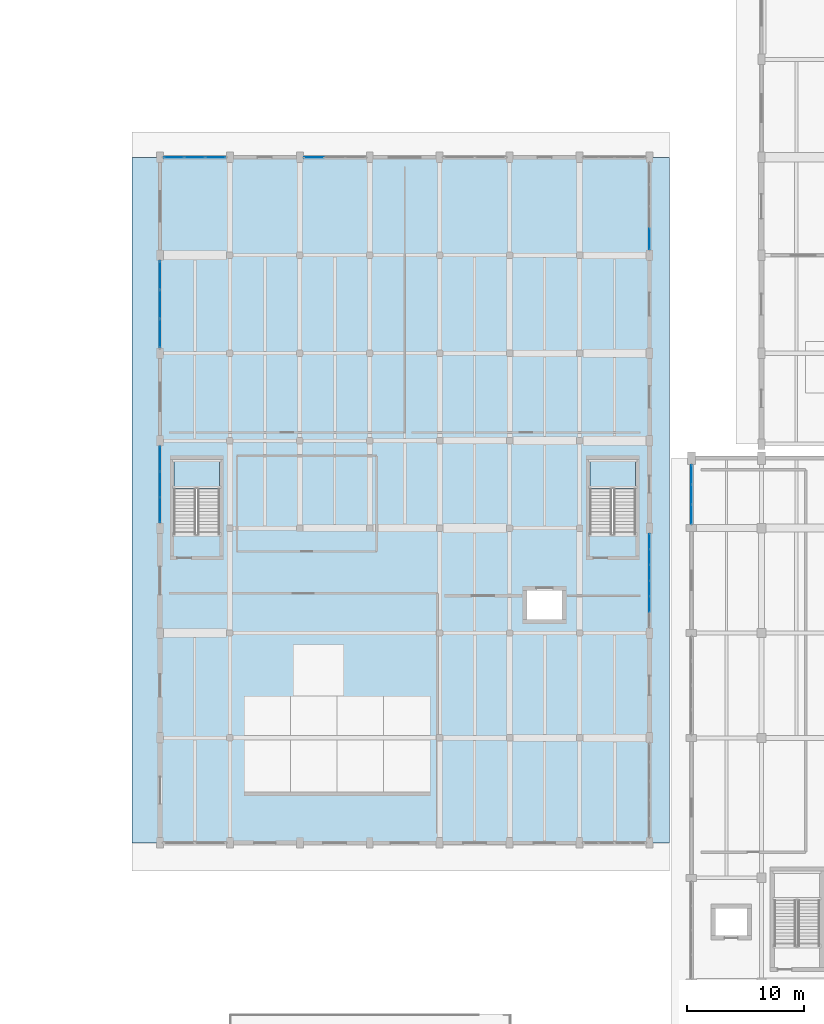
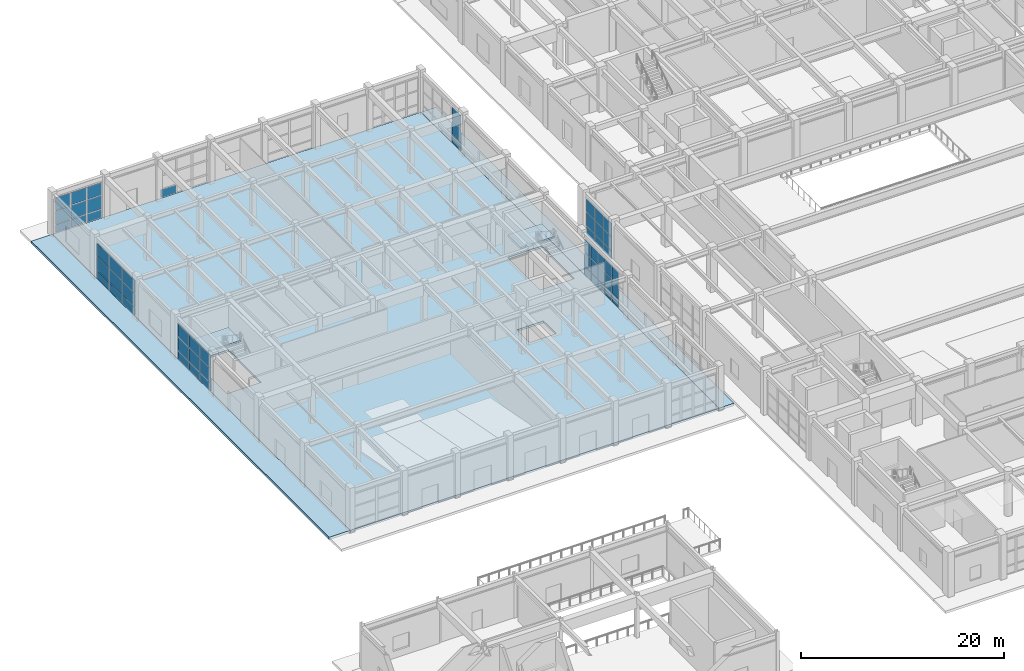
# One storey, part 64 of 91: 55 plates, 5 slabs, 9 elements without a shape of their own.
"""IFC4 building model written with IfcOpenShell, lengths in metres."""

from ifc_helpers import new_model, si_unit, direction, frame, origin, origin_2d, place, context, subcontext, project, spatial, polyline, rectangle, outline, extrude, material, layer, layer_set, type_object, element, aggregate, save


model = new_model("IFC4")

# Units and contexts
model_context = context("Model", 3, precision=1e-05, world=origin(), true_north=direction((0.0, 1.0)))
body_context = subcontext(model_context, "Body", "Model", "MODEL_VIEW")
ifc_project = project(units=[si_unit("LENGTHUNIT", "METRE"), si_unit("AREAUNIT", "SQUARE_METRE"), si_unit("VOLUMEUNIT", "CUBIC_METRE"), si_unit("PLANEANGLEUNIT", "RADIAN"), si_unit("MASSUNIT", "GRAM", prefix="KILO")], contexts=[model_context])

# Site, building, storey
site_placement = place(None, origin())
site = spatial("IfcSite", under=ifc_project, at=site_placement, CompositionType="ELEMENT")
building_placement = place(site_placement, origin())
building = spatial("IfcBuilding", under=site, at=building_placement, Name="Vaelkrest Opera House", CompositionType="ELEMENT")
storey_placement = place(building_placement, origin())
storey = spatial("IfcBuildingStorey", under=building, at=storey_placement, Name="L00", CompositionType="ELEMENT", Elevation=0.0)

# Curtain wall, plates
ifc_material_1 = material(Name="Dark bronze anodized aluminium", Category="aluminium")
ifc_layer_1 = layer(ifc_material_1, 0.179931640625)
ifc_layer_set_1 = layer_set([ifc_layer_1], Name="Dark bronze anodized aluminium")
curtain_wall_type_1 = type_object("IfcCurtainWallType", Name="CW01", PredefinedType="NOTDEFINED", material=ifc_layer_set_1)
curtain_wall_1_placement = place(storey_placement, origin())
curtain_wall_1 = element("IfcCurtainWall", 1, at=curtain_wall_1_placement, inside=storey, type_object=curtain_wall_type_1, Name="Curtain wall CW-L00-097", PredefinedType="NOTDEFINED")
ifc_material_2 = material(Name="Double low-E insulated glazing", Category="glass")
ifc_layer_2 = layer(ifc_material_2, 0.02587890625)
ifc_layer_set_2 = layer_set([ifc_layer_2], Name="Double low-E insulated glazing")
plate_type_1 = type_object("IfcPlateType", Name="CWP01", PredefinedType="CURTAIN_PANEL", material=ifc_layer_set_2)
plate_1_placement = place(storey_placement, frame((-33.60009765625, 9.060302734375, 0.06494140625), z_axis=(0.0, 0.0, 1.0), x_axis=(0.0, -1.0, 0.0)))
plate_1 = element("IfcPlate", 2, at=plate_1_placement, type_object=plate_type_1, Name="CW01 panel 1.1", PredefinedType="CURTAIN_PANEL", context=body_context, shape_type="SweptSolid", body=[
    extrude(rectangle(XDim=1.253173828125, YDim=0.02587890625, at=origin_2d()), origin(), (0.0, 0.0, 1.0), 0.952392578125),
])
plate_2_placement = place(storey_placement, frame((-33.60009765625, 9.060302734375, 1.08251953125), z_axis=(0.0, 0.0, 1.0), x_axis=(0.0, -1.0, 0.0)))
plate_2 = element("IfcPlate", 3, at=plate_2_placement, type_object=plate_type_1, Name="CW01 panel 1.2", PredefinedType="CURTAIN_PANEL", context=body_context, shape_type="SweptSolid", body=[
    extrude(rectangle(XDim=1.253173828125, YDim=0.02587890625, at=origin_2d()), origin(), (0.0, 0.0, 1.0), 1.635009765625),
])
plate_3_placement = place(storey_placement, frame((-33.60009765625, 9.060302734375, 2.78271484375), z_axis=(0.0, 0.0, 1.0), x_axis=(0.0, -1.0, 0.0)))
plate_3 = element("IfcPlate", 4, at=plate_3_placement, type_object=plate_type_1, Name="CW01 panel 1.3", PredefinedType="CURTAIN_PANEL", context=body_context, shape_type="SweptSolid", body=[
    extrude(rectangle(XDim=1.253173828125, YDim=0.02587890625, at=origin_2d()), origin(), (0.0, 0.0, 1.0), 1.556396484375),
])
plate_4_placement = place(storey_placement, frame((-33.60009765625, 7.72607421875, 0.06494140625), z_axis=(0.0, 0.0, 1.0), x_axis=(0.0, -1.0, 0.0)))
plate_4 = element("IfcPlate", 5, at=plate_4_placement, type_object=plate_type_1, Name="CW01 panel 2.1", PredefinedType="CURTAIN_PANEL", context=body_context, shape_type="SweptSolid", body=[
    extrude(rectangle(XDim=1.28564453125, YDim=0.02587890625, at=origin_2d()), origin(), (0.0, 0.0, 1.0), 0.952392578125),
])
plate_5_placement = place(storey_placement, frame((-33.60009765625, 7.72607421875, 1.08251953125), z_axis=(0.0, 0.0, 1.0), x_axis=(0.0, -1.0, 0.0)))
plate_5 = element("IfcPlate", 6, at=plate_5_placement, type_object=plate_type_1, Name="CW01 panel 2.2", PredefinedType="CURTAIN_PANEL", context=body_context, shape_type="SweptSolid", body=[
    extrude(rectangle(XDim=1.28564453125, YDim=0.02587890625, at=origin_2d()), origin(), (0.0, 0.0, 1.0), 1.635009765625),
])
plate_6_placement = place(storey_placement, frame((-33.60009765625, 7.72607421875, 2.78271484375), z_axis=(0.0, 0.0, 1.0), x_axis=(0.0, -1.0, 0.0)))
plate_6 = element("IfcPlate", 7, at=plate_6_placement, type_object=plate_type_1, Name="CW01 panel 2.3", PredefinedType="CURTAIN_PANEL", context=body_context, shape_type="SweptSolid", body=[
    extrude(rectangle(XDim=1.28564453125, YDim=0.02587890625, at=origin_2d()), origin(), (0.0, 0.0, 1.0), 1.556396484375),
])
plate_7_placement = place(storey_placement, frame((-33.60009765625, 6.375244140625, 0.06494140625), z_axis=(0.0, 0.0, 1.0), x_axis=(0.0, -1.0, 0.0)))
plate_7 = element("IfcPlate", 8, at=plate_7_placement, type_object=plate_type_1, Name="CW01 panel 3.1", PredefinedType="CURTAIN_PANEL", context=body_context, shape_type="SweptSolid", body=[
    extrude(rectangle(XDim=1.28564453125, YDim=0.02587890625, at=origin_2d()), origin(), (0.0, 0.0, 1.0), 0.952392578125),
])
plate_8_placement = place(storey_placement, frame((-33.60009765625, 6.375244140625, 1.08251953125), z_axis=(0.0, 0.0, 1.0), x_axis=(0.0, -1.0, 0.0)))
plate_8 = element("IfcPlate", 9, at=plate_8_placement, type_object=plate_type_1, Name="CW01 panel 3.2", PredefinedType="CURTAIN_PANEL", context=body_context, shape_type="SweptSolid", body=[
    extrude(rectangle(XDim=1.28564453125, YDim=0.02587890625, at=origin_2d()), origin(), (0.0, 0.0, 1.0), 1.635009765625),
])
plate_9_placement = place(storey_placement, frame((-33.60009765625, 6.375244140625, 2.78271484375), z_axis=(0.0, 0.0, 1.0), x_axis=(0.0, -1.0, 0.0)))
plate_9 = element("IfcPlate", 10, at=plate_9_placement, type_object=plate_type_1, Name="CW01 panel 3.3", PredefinedType="CURTAIN_PANEL", context=body_context, shape_type="SweptSolid", body=[
    extrude(rectangle(XDim=1.28564453125, YDim=0.02587890625, at=origin_2d()), origin(), (0.0, 0.0, 1.0), 1.556396484375),
])
plate_10_placement = place(storey_placement, frame((-33.60009765625, 5.024658203125, 0.06494140625), z_axis=(0.0, 0.0, 1.0), x_axis=(0.0, -1.0, 0.0)))
plate_10 = element("IfcPlate", 11, at=plate_10_placement, type_object=plate_type_1, Name="CW01 panel 4.1", PredefinedType="CURTAIN_PANEL", context=body_context, shape_type="SweptSolid", body=[
    extrude(rectangle(XDim=1.28564453125, YDim=0.02587890625, at=origin_2d()), origin(), (0.0, 0.0, 1.0), 0.952392578125),
])
plate_11_placement = place(storey_placement, frame((-33.60009765625, 5.024658203125, 1.08251953125), z_axis=(0.0, 0.0, 1.0), x_axis=(0.0, -1.0, 0.0)))
plate_11 = element("IfcPlate", 12, at=plate_11_placement, type_object=plate_type_1, Name="CW01 panel 4.2", PredefinedType="CURTAIN_PANEL", context=body_context, shape_type="SweptSolid", body=[
    extrude(rectangle(XDim=1.28564453125, YDim=0.02587890625, at=origin_2d()), origin(), (0.0, 0.0, 1.0), 1.635009765625),
])
plate_12_placement = place(storey_placement, frame((-33.60009765625, 5.024658203125, 2.78271484375), z_axis=(0.0, 0.0, 1.0), x_axis=(0.0, -1.0, 0.0)))
plate_12 = element("IfcPlate", 13, at=plate_12_placement, type_object=plate_type_1, Name="CW01 panel 4.3", PredefinedType="CURTAIN_PANEL", context=body_context, shape_type="SweptSolid", body=[
    extrude(rectangle(XDim=1.28564453125, YDim=0.02587890625, at=origin_2d()), origin(), (0.0, 0.0, 1.0), 1.556396484375),
])
plate_13_placement = place(storey_placement, frame((-33.60009765625, 3.674072265625, 0.06494140625), z_axis=(0.0, 0.0, 1.0), x_axis=(0.0, -1.0, 0.0)))
plate_13 = element("IfcPlate", 14, at=plate_13_placement, type_object=plate_type_1, Name="CW01 panel 5.1", PredefinedType="CURTAIN_PANEL", context=body_context, shape_type="SweptSolid", body=[
    extrude(rectangle(XDim=1.28564453125, YDim=0.02587890625, at=origin_2d()), origin(), (0.0, 0.0, 1.0), 0.952392578125),
])
plate_14_placement = place(storey_placement, frame((-33.60009765625, 3.674072265625, 1.08251953125), z_axis=(0.0, 0.0, 1.0), x_axis=(0.0, -1.0, 0.0)))
plate_14 = element("IfcPlate", 15, at=plate_14_placement, type_object=plate_type_1, Name="CW01 panel 5.2", PredefinedType="CURTAIN_PANEL", context=body_context, shape_type="SweptSolid", body=[
    extrude(rectangle(XDim=1.28564453125, YDim=0.02587890625, at=origin_2d()), origin(), (0.0, 0.0, 1.0), 1.635009765625),
])
plate_15_placement = place(storey_placement, frame((-33.60009765625, 3.674072265625, 2.78271484375), z_axis=(0.0, 0.0, 1.0), x_axis=(0.0, -1.0, 0.0)))
plate_15 = element("IfcPlate", 16, at=plate_15_placement, type_object=plate_type_1, Name="CW01 panel 5.3", PredefinedType="CURTAIN_PANEL", context=body_context, shape_type="SweptSolid", body=[
    extrude(rectangle(XDim=1.28564453125, YDim=0.02587890625, at=origin_2d()), origin(), (0.0, 0.0, 1.0), 1.556396484375),
])
aggregate(curtain_wall_1, [plate_1, plate_2, plate_3, plate_4, plate_5, plate_6, plate_7, plate_8, plate_9, plate_10, plate_11, plate_12, plate_13, plate_14, plate_15])

ifc_layer_3 = layer(ifc_material_1, 0.18994140625)
ifc_layer_set_3 = layer_set([ifc_layer_3], Name="Dark bronze anodized aluminium")
curtain_wall_type_2 = type_object("IfcCurtainWallType", Name="CW02", PredefinedType="NOTDEFINED", material=ifc_layer_set_3)
curtain_wall_2_placement = place(storey_placement, origin())
curtain_wall_2 = element("IfcCurtainWall", 17, at=curtain_wall_2_placement, inside=storey, type_object=curtain_wall_type_2, Name="Curtain wall CW-L00-016", PredefinedType="NOTDEFINED")
ifc_layer_4 = layer(ifc_material_2, 0.030029296875)
ifc_layer_set_4 = layer_set([ifc_layer_4], Name="Double low-E insulated glazing")
plate_type_2 = type_object("IfcPlateType", Name="CWP02", PredefinedType="CURTAIN_PANEL", material=ifc_layer_set_4)
plate_16_placement = place(storey_placement, frame((-30.0, 11.37451171875, 0.06982421875), z_axis=(0.0, 0.0, 1.0), x_axis=(0.0, 1.0, 0.0)))
plate_16 = element("IfcPlate", 18, at=plate_16_placement, type_object=plate_type_2, Name="CW02 panel 1.1", PredefinedType="CURTAIN_PANEL", context=body_context, shape_type="SweptSolid", body=[
    extrude(rectangle(XDim=1.613037109375, YDim=0.030029296875, at=origin_2d()), origin(), (0.0, 0.0, 1.0), 0.945068359375),
])
plate_17_placement = place(storey_placement, frame((-30.0, 11.37451171875, 1.0849609375), z_axis=(0.0, 0.0, 1.0), x_axis=(0.0, 1.0, 0.0)))
plate_17 = element("IfcPlate", 19, at=plate_17_placement, type_object=plate_type_2, Name="CW02 panel 1.2", PredefinedType="CURTAIN_PANEL", context=body_context, shape_type="SweptSolid", body=[
    extrude(rectangle(XDim=1.613037109375, YDim=0.030029296875, at=origin_2d()), origin(), (0.0, 0.0, 1.0), 1.6298828125),
])
plate_18_placement = place(storey_placement, frame((-30.0, 11.37451171875, 2.78515625), z_axis=(0.0, 0.0, 1.0), x_axis=(0.0, 1.0, 0.0)))
plate_18 = element("IfcPlate", 20, at=plate_18_placement, type_object=plate_type_2, Name="CW02 panel 1.3", PredefinedType="CURTAIN_PANEL", context=body_context, shape_type="SweptSolid", body=[
    extrude(rectangle(XDim=1.613037109375, YDim=0.030029296875, at=origin_2d()), origin(), (0.0, 0.0, 1.0), 1.549072265625),
])
plate_19_placement = place(storey_placement, frame((-30.0, 13.074951171875, 0.06982421875), z_axis=(0.0, 0.0, 1.0), x_axis=(0.0, 1.0, 0.0)))
plate_19 = element("IfcPlate", 21, at=plate_19_placement, type_object=plate_type_2, Name="CW02 panel 2.1", PredefinedType="CURTAIN_PANEL", context=body_context, shape_type="SweptSolid", body=[
    extrude(rectangle(XDim=1.64794921875, YDim=0.030029296875, at=origin_2d()), origin(), (0.0, 0.0, 1.0), 0.945068359375),
])
plate_20_placement = place(storey_placement, frame((-30.0, 13.074951171875, 1.0849609375), z_axis=(0.0, 0.0, 1.0), x_axis=(0.0, 1.0, 0.0)))
plate_20 = element("IfcPlate", 22, at=plate_20_placement, type_object=plate_type_2, Name="CW02 panel 2.2", PredefinedType="CURTAIN_PANEL", context=body_context, shape_type="SweptSolid", body=[
    extrude(rectangle(XDim=1.64794921875, YDim=0.030029296875, at=origin_2d()), origin(), (0.0, 0.0, 1.0), 1.6298828125),
])
plate_21_placement = place(storey_placement, frame((-30.0, 13.074951171875, 2.78515625), z_axis=(0.0, 0.0, 1.0), x_axis=(0.0, 1.0, 0.0)))
plate_21 = element("IfcPlate", 23, at=plate_21_placement, type_object=plate_type_2, Name="CW02 panel 2.3", PredefinedType="CURTAIN_PANEL", context=body_context, shape_type="SweptSolid", body=[
    extrude(rectangle(XDim=1.64794921875, YDim=0.030029296875, at=origin_2d()), origin(), (0.0, 0.0, 1.0), 1.549072265625),
])
plate_22_placement = place(storey_placement, frame((-30.0, 14.775390625, 0.06982421875), z_axis=(0.0, 0.0, 1.0), x_axis=(0.0, 1.0, 0.0)))
plate_22 = element("IfcPlate", 24, at=plate_22_placement, type_object=plate_type_2, Name="CW02 panel 3.1", PredefinedType="CURTAIN_PANEL", context=body_context, shape_type="SweptSolid", body=[
    extrude(rectangle(XDim=1.613037109375, YDim=0.030029296875, at=origin_2d()), origin(), (0.0, 0.0, 1.0), 0.945068359375),
])
plate_23_placement = place(storey_placement, frame((-30.0, 14.775390625, 1.0849609375), z_axis=(0.0, 0.0, 1.0), x_axis=(0.0, 1.0, 0.0)))
plate_23 = element("IfcPlate", 25, at=plate_23_placement, type_object=plate_type_2, Name="CW02 panel 3.2", PredefinedType="CURTAIN_PANEL", context=body_context, shape_type="SweptSolid", body=[
    extrude(rectangle(XDim=1.613037109375, YDim=0.030029296875, at=origin_2d()), origin(), (0.0, 0.0, 1.0), 1.6298828125),
])
plate_24_placement = place(storey_placement, frame((-30.0, 14.775390625, 2.78515625), z_axis=(0.0, 0.0, 1.0), x_axis=(0.0, 1.0, 0.0)))
plate_24 = element("IfcPlate", 26, at=plate_24_placement, type_object=plate_type_2, Name="CW02 panel 3.3", PredefinedType="CURTAIN_PANEL", context=body_context, shape_type="SweptSolid", body=[
    extrude(rectangle(XDim=1.613037109375, YDim=0.030029296875, at=origin_2d()), origin(), (0.0, 0.0, 1.0), 1.549072265625),
])
aggregate(curtain_wall_2, [plate_16, plate_17, plate_18, plate_19, plate_20, plate_21, plate_22, plate_23, plate_24])

ifc_layer_5 = layer(ifc_material_1, 0.2099609375)
ifc_layer_set_5 = layer_set([ifc_layer_5], Name="Dark bronze anodized aluminium")
curtain_wall_type_3 = type_object("IfcCurtainWallType", Name="CW04", PredefinedType="NOTDEFINED", material=ifc_layer_set_5)
curtain_wall_3_placement = place(storey_placement, origin())
curtain_wall_3 = element("IfcCurtainWall", 27, at=curtain_wall_3_placement, inside=storey, type_object=curtain_wall_type_3, Name="Curtain wall CW-L00-092", PredefinedType="NOTDEFINED")
ifc_layer_6 = layer(ifc_material_2, 0.0380859375)
ifc_layer_set_6 = layer_set([ifc_layer_6], Name="Double low-E insulated glazing")
plate_type_3 = type_object("IfcPlateType", Name="CWP04", PredefinedType="CURTAIN_PANEL", material=ifc_layer_set_6)
plate_25_placement = place(storey_placement, frame((-74.38134765625, 42.0, 0.080078125), z_axis=(0.0, 0.0, 1.0), x_axis=(1.0, 0.0, 0.0)))
plate_25 = element("IfcPlate", 28, at=plate_25_placement, type_object=plate_type_3, Name="CW04 panel 1.1", PredefinedType="CURTAIN_PANEL", context=body_context, shape_type="SweptSolid", body=[
    extrude(rectangle(XDim=1.681396484375, YDim=0.0380859375, at=origin_2d()), origin(), (0.0, 0.0, 1.0), 0.929931640625),
])
plate_26_placement = place(storey_placement, frame((-74.38134765625, 42.0, 1.08984375), z_axis=(0.0, 0.0, 1.0), x_axis=(1.0, 0.0, 0.0)))
plate_26 = element("IfcPlate", 29, at=plate_26_placement, type_object=plate_type_3, Name="CW04 panel 1.2", PredefinedType="CURTAIN_PANEL", context=body_context, shape_type="SweptSolid", body=[
    extrude(rectangle(XDim=1.681396484375, YDim=0.0380859375, at=origin_2d()), origin(), (0.0, 0.0, 1.0), 1.6201171875),
])
plate_27_placement = place(storey_placement, frame((-74.38134765625, 42.0, 2.7900390625), z_axis=(0.0, 0.0, 1.0), x_axis=(1.0, 0.0, 0.0)))
plate_27 = element("IfcPlate", 30, at=plate_27_placement, type_object=plate_type_3, Name="CW04 panel 1.3", PredefinedType="CURTAIN_PANEL", context=body_context, shape_type="SweptSolid", body=[
    extrude(rectangle(XDim=1.681396484375, YDim=0.0380859375, at=origin_2d()), origin(), (0.0, 0.0, 1.0), 1.47509765625),
])
plate_28_placement = place(storey_placement, frame((-72.60009765625, 42.0, 0.080078125), z_axis=(0.0, 0.0, 1.0), x_axis=(1.0, 0.0, 0.0)))
plate_28 = element("IfcPlate", 31, at=plate_28_placement, type_object=plate_type_3, Name="CW04 panel 2.1", PredefinedType="CURTAIN_PANEL", context=body_context, shape_type="SweptSolid", body=[
    extrude(rectangle(XDim=1.721435546875, YDim=0.0380859375, at=origin_2d()), origin(), (0.0, 0.0, 1.0), 0.929931640625),
])
plate_29_placement = place(storey_placement, frame((-72.60009765625, 42.0, 1.08984375), z_axis=(0.0, 0.0, 1.0), x_axis=(1.0, 0.0, 0.0)))
plate_29 = element("IfcPlate", 32, at=plate_29_placement, type_object=plate_type_3, Name="CW04 panel 2.2", PredefinedType="CURTAIN_PANEL", context=body_context, shape_type="SweptSolid", body=[
    extrude(rectangle(XDim=1.721435546875, YDim=0.0380859375, at=origin_2d()), origin(), (0.0, 0.0, 1.0), 1.6201171875),
])
plate_30_placement = place(storey_placement, frame((-72.60009765625, 42.0, 2.7900390625), z_axis=(0.0, 0.0, 1.0), x_axis=(1.0, 0.0, 0.0)))
plate_30 = element("IfcPlate", 33, at=plate_30_placement, type_object=plate_type_3, Name="CW04 panel 2.3", PredefinedType="CURTAIN_PANEL", context=body_context, shape_type="SweptSolid", body=[
    extrude(rectangle(XDim=1.721435546875, YDim=0.0380859375, at=origin_2d()), origin(), (0.0, 0.0, 1.0), 1.47509765625),
])
plate_31_placement = place(storey_placement, frame((-70.818603515625, 42.0, 0.080078125), z_axis=(0.0, 0.0, 1.0), x_axis=(1.0, 0.0, 0.0)))
plate_31 = element("IfcPlate", 34, at=plate_31_placement, type_object=plate_type_3, Name="CW04 panel 3.1", PredefinedType="CURTAIN_PANEL", context=body_context, shape_type="SweptSolid", body=[
    extrude(rectangle(XDim=1.681396484375, YDim=0.0380859375, at=origin_2d()), origin(), (0.0, 0.0, 1.0), 0.929931640625),
])
plate_32_placement = place(storey_placement, frame((-70.818603515625, 42.0, 1.08984375), z_axis=(0.0, 0.0, 1.0), x_axis=(1.0, 0.0, 0.0)))
plate_32 = element("IfcPlate", 35, at=plate_32_placement, type_object=plate_type_3, Name="CW04 panel 3.2", PredefinedType="CURTAIN_PANEL", context=body_context, shape_type="SweptSolid", body=[
    extrude(rectangle(XDim=1.681396484375, YDim=0.0380859375, at=origin_2d()), origin(), (0.0, 0.0, 1.0), 1.6201171875),
])
plate_33_placement = place(storey_placement, frame((-70.818603515625, 42.0, 2.7900390625), z_axis=(0.0, 0.0, 1.0), x_axis=(1.0, 0.0, 0.0)))
plate_33 = element("IfcPlate", 36, at=plate_33_placement, type_object=plate_type_3, Name="CW04 panel 3.3", PredefinedType="CURTAIN_PANEL", context=body_context, shape_type="SweptSolid", body=[
    extrude(rectangle(XDim=1.681396484375, YDim=0.0380859375, at=origin_2d()), origin(), (0.0, 0.0, 1.0), 1.47509765625),
])
aggregate(curtain_wall_3, [plate_25, plate_26, plate_27, plate_28, plate_29, plate_30, plate_31, plate_32, plate_33])

ifc_layer_7 = layer(ifc_material_1, 0.219970703125)
ifc_layer_set_7 = layer_set([ifc_layer_7], Name="Dark bronze anodized aluminium")
curtain_wall_type_4 = type_object("IfcCurtainWallType", Name="CW05", PredefinedType="NOTDEFINED", material=ifc_layer_set_7)
curtain_wall_4_placement = place(storey_placement, origin())
curtain_wall_4 = element("IfcCurtainWall", 37, at=curtain_wall_4_placement, inside=storey, type_object=curtain_wall_type_4, Name="Curtain wall CW-L00-096", PredefinedType="NOTDEFINED")
ifc_layer_8 = layer(ifc_material_2, 0.0419921875)
ifc_layer_set_8 = layer_set([ifc_layer_8], Name="Double low-E insulated glazing")
plate_type_4 = type_object("IfcPlateType", Name="CWP05", PredefinedType="CURTAIN_PANEL", material=ifc_layer_set_8)
plate_34_placement = place(storey_placement, frame((-33.60009765625, 35.002197265625, 0.074951171875), z_axis=(0.0, 0.0, 1.0), x_axis=(0.0, -1.0, 0.0)))
plate_34 = element("IfcPlate", 38, at=plate_34_placement, type_object=plate_type_4, Name="CW05 panel 4.1", PredefinedType="CURTAIN_PANEL", context=body_context, shape_type="SweptSolid", body=[
    extrude(rectangle(XDim=1.778564453125, YDim=0.0419921875, at=origin_2d()), origin(), (0.0, 0.0, 1.0), 0.9375),
])
plate_35_placement = place(storey_placement, frame((-33.60009765625, 35.002197265625, 1.08740234375), z_axis=(0.0, 0.0, 1.0), x_axis=(0.0, -1.0, 0.0)))
plate_35 = element("IfcPlate", 39, at=plate_35_placement, type_object=plate_type_4, Name="CW05 panel 4.2", PredefinedType="CURTAIN_PANEL", context=body_context, shape_type="SweptSolid", body=[
    extrude(rectangle(XDim=1.778564453125, YDim=0.0419921875, at=origin_2d()), origin(), (0.0, 0.0, 1.0), 1.625),
])
plate_36_placement = place(storey_placement, frame((-33.60009765625, 35.002197265625, 2.78759765625), z_axis=(0.0, 0.0, 1.0), x_axis=(0.0, -1.0, 0.0)))
plate_36 = element("IfcPlate", 40, at=plate_36_placement, type_object=plate_type_4, Name="CW05 panel 4.3", PredefinedType="CURTAIN_PANEL", context=body_context, shape_type="SweptSolid", body=[
    extrude(rectangle(XDim=1.778564453125, YDim=0.0419921875, at=origin_2d()), origin(), (0.0, 0.0, 1.0), 1.56640625),
])
aggregate(curtain_wall_4, [plate_34, plate_35, plate_36])

ifc_layer_9 = layer(ifc_material_1, 0.22998046875)
ifc_layer_set_9 = layer_set([ifc_layer_9], Name="Dark bronze anodized aluminium")
curtain_wall_type_5 = type_object("IfcCurtainWallType", Name="CW06", PredefinedType="NOTDEFINED", material=ifc_layer_set_9)
curtain_wall_5_placement = place(storey_placement, origin())
curtain_wall_5 = element("IfcCurtainWall", 41, at=curtain_wall_5_placement, inside=storey, type_object=curtain_wall_type_5, Name="Curtain wall CW-L00-090", PredefinedType="NOTDEFINED")
ifc_material_3 = material(Name="Dark bronze anodized aluminium spandrel", Category="aluminium")
ifc_layer_10 = layer(ifc_material_3, 0.0458984375)
ifc_layer_set_10 = layer_set([ifc_layer_10], Name="Dark bronze anodized aluminium spandrel")
plate_type_5 = type_object("IfcPlateType", Name="CWP06", PredefinedType="CURTAIN_PANEL", material=ifc_layer_set_10)
plate_37_placement = place(storey_placement, frame((-75.60009765625, 11.76611328125, 0.080078125), z_axis=(0.0, 0.0, 1.0), x_axis=(0.0, 1.0, 0.0)))
plate_37 = element("IfcPlate", 42, at=plate_37_placement, type_object=plate_type_5, Name="CW06 panel 1.1", PredefinedType="CURTAIN_PANEL", context=body_context, shape_type="SweptSolid", body=[
    extrude(rectangle(XDim=2.096435546875, YDim=0.0458984375, at=origin_2d()), origin(), (0.0, 0.0, 1.0), 0.929931640625),
])
plate_38_placement = place(storey_placement, frame((-75.60009765625, 11.76611328125, 1.08984375), z_axis=(0.0, 0.0, 1.0), x_axis=(0.0, 1.0, 0.0)))
plate_38 = element("IfcPlate", 43, at=plate_38_placement, type_object=plate_type_5, Name="CW06 panel 1.2", PredefinedType="CURTAIN_PANEL", context=body_context, shape_type="SweptSolid", body=[
    extrude(rectangle(XDim=2.096435546875, YDim=0.0458984375, at=origin_2d()), origin(), (0.0, 0.0, 1.0), 1.6201171875),
])
plate_39_placement = place(storey_placement, frame((-75.60009765625, 11.76611328125, 2.7900390625), z_axis=(0.0, 0.0, 1.0), x_axis=(0.0, 1.0, 0.0)))
plate_39 = element("IfcPlate", 44, at=plate_39_placement, type_object=plate_type_5, Name="CW06 panel 1.3", PredefinedType="CURTAIN_PANEL", context=body_context, shape_type="SweptSolid", body=[
    extrude(rectangle(XDim=2.096435546875, YDim=0.0458984375, at=origin_2d()), origin(), (0.0, 0.0, 1.0), 1.533935546875),
])
plate_40_placement = place(storey_placement, frame((-75.60009765625, 13.949951171875, 0.080078125), z_axis=(0.0, 0.0, 1.0), x_axis=(0.0, 1.0, 0.0)))
plate_40 = element("IfcPlate", 45, at=plate_40_placement, type_object=plate_type_5, Name="CW06 panel 2.1", PredefinedType="CURTAIN_PANEL", context=body_context, shape_type="SweptSolid", body=[
    extrude(rectangle(XDim=2.13134765625, YDim=0.0458984375, at=origin_2d()), origin(), (0.0, 0.0, 1.0), 0.929931640625),
])
plate_41_placement = place(storey_placement, frame((-75.60009765625, 13.949951171875, 1.08984375), z_axis=(0.0, 0.0, 1.0), x_axis=(0.0, 1.0, 0.0)))
plate_41 = element("IfcPlate", 46, at=plate_41_placement, type_object=plate_type_5, Name="CW06 panel 2.2", PredefinedType="CURTAIN_PANEL", context=body_context, shape_type="SweptSolid", body=[
    extrude(rectangle(XDim=2.13134765625, YDim=0.0458984375, at=origin_2d()), origin(), (0.0, 0.0, 1.0), 1.6201171875),
])
plate_42_placement = place(storey_placement, frame((-75.60009765625, 13.949951171875, 2.7900390625), z_axis=(0.0, 0.0, 1.0), x_axis=(0.0, 1.0, 0.0)))
plate_42 = element("IfcPlate", 47, at=plate_42_placement, type_object=plate_type_5, Name="CW06 panel 2.3", PredefinedType="CURTAIN_PANEL", context=body_context, shape_type="SweptSolid", body=[
    extrude(rectangle(XDim=2.13134765625, YDim=0.0458984375, at=origin_2d()), origin(), (0.0, 0.0, 1.0), 1.533935546875),
])
plate_43_placement = place(storey_placement, frame((-75.60009765625, 16.1337890625, 0.080078125), z_axis=(0.0, 0.0, 1.0), x_axis=(0.0, 1.0, 0.0)))
plate_43 = element("IfcPlate", 48, at=plate_43_placement, type_object=plate_type_5, Name="CW06 panel 3.1", PredefinedType="CURTAIN_PANEL", context=body_context, shape_type="SweptSolid", body=[
    extrude(rectangle(XDim=2.096435546875, YDim=0.0458984375, at=origin_2d()), origin(), (0.0, 0.0, 1.0), 0.929931640625),
])
plate_44_placement = place(storey_placement, frame((-75.60009765625, 16.1337890625, 1.08984375), z_axis=(0.0, 0.0, 1.0), x_axis=(0.0, 1.0, 0.0)))
plate_44 = element("IfcPlate", 49, at=plate_44_placement, type_object=plate_type_5, Name="CW06 panel 3.2", PredefinedType="CURTAIN_PANEL", context=body_context, shape_type="SweptSolid", body=[
    extrude(rectangle(XDim=2.096435546875, YDim=0.0458984375, at=origin_2d()), origin(), (0.0, 0.0, 1.0), 1.6201171875),
])
plate_45_placement = place(storey_placement, frame((-75.60009765625, 16.1337890625, 2.7900390625), z_axis=(0.0, 0.0, 1.0), x_axis=(0.0, 1.0, 0.0)))
plate_45 = element("IfcPlate", 50, at=plate_45_placement, type_object=plate_type_5, Name="CW06 panel 3.3", PredefinedType="CURTAIN_PANEL", context=body_context, shape_type="SweptSolid", body=[
    extrude(rectangle(XDim=2.096435546875, YDim=0.0458984375, at=origin_2d()), origin(), (0.0, 0.0, 1.0), 1.533935546875),
])
aggregate(curtain_wall_5, [plate_37, plate_38, plate_39, plate_40, plate_41, plate_42, plate_43, plate_44, plate_45])

# Curtain wall, plate
curtain_wall_6_placement = place(storey_placement, origin())
curtain_wall_6 = element("IfcCurtainWall", 51, at=curtain_wall_6_placement, inside=storey, type_object=curtain_wall_type_5, Name="Curtain wall CW-L00-093", PredefinedType="NOTDEFINED")
plate_46_placement = place(storey_placement, frame((-62.3837890625, 42.0, 0.080078125), z_axis=(0.0, 0.0, 1.0), x_axis=(1.0, 0.0, 0.0)))
plate_46 = element("IfcPlate", 52, at=plate_46_placement, type_object=plate_type_5, Name="CW06 panel 1.1", PredefinedType="CURTAIN_PANEL", context=body_context, shape_type="SweptSolid", body=[
    extrude(rectangle(XDim=1.6962890625, YDim=0.0458984375, at=origin_2d()), origin(), (0.0, 0.0, 1.0), 0.929931640625),
])
aggregate(curtain_wall_6, [plate_46])

# Curtain wall, plates
ifc_layer_11 = layer(ifc_material_1, 0.25)
ifc_layer_set_11 = layer_set([ifc_layer_11], Name="Dark bronze anodized aluminium")
curtain_wall_type_6 = type_object("IfcCurtainWallType", Name="CW08", PredefinedType="NOTDEFINED", material=ifc_layer_set_11)
curtain_wall_7_placement = place(storey_placement, origin())
curtain_wall_7 = element("IfcCurtainWall", 53, at=curtain_wall_7_placement, inside=storey, type_object=curtain_wall_type_6, Name="Curtain wall CW-L00-091", PredefinedType="NOTDEFINED")
ifc_layer_12 = layer(ifc_material_3, 0.05810546875)
ifc_layer_set_12 = layer_set([ifc_layer_12], Name="Dark bronze anodized aluminium spandrel")
plate_type_6 = type_object("IfcPlateType", Name="CWP08", PredefinedType="CURTAIN_PANEL", material=ifc_layer_set_12)
plate_47_placement = place(storey_placement, frame((-75.60009765625, 26.918701171875, 0.06982421875), z_axis=(0.0, 0.0, 1.0), x_axis=(0.0, 1.0, 0.0)))
plate_47 = element("IfcPlate", 54, at=plate_47_placement, type_object=plate_type_6, Name="CW08 panel 1.1", PredefinedType="CURTAIN_PANEL", context=body_context, shape_type="SweptSolid", body=[
    extrude(rectangle(XDim=2.38134765625, YDim=0.05810546875, at=origin_2d()), origin(), (0.0, 0.0, 1.0), 0.945068359375),
])
plate_48_placement = place(storey_placement, frame((-75.60009765625, 26.918701171875, 1.0849609375), z_axis=(0.0, 0.0, 1.0), x_axis=(0.0, 1.0, 0.0)))
plate_48 = element("IfcPlate", 55, at=plate_48_placement, type_object=plate_type_6, Name="CW08 panel 1.2", PredefinedType="CURTAIN_PANEL", context=body_context, shape_type="SweptSolid", body=[
    extrude(rectangle(XDim=2.38134765625, YDim=0.05810546875, at=origin_2d()), origin(), (0.0, 0.0, 1.0), 1.6298828125),
])
plate_49_placement = place(storey_placement, frame((-75.60009765625, 26.918701171875, 2.78515625), z_axis=(0.0, 0.0, 1.0), x_axis=(0.0, 1.0, 0.0)))
plate_49 = element("IfcPlate", 56, at=plate_49_placement, type_object=plate_type_6, Name="CW08 panel 1.3", PredefinedType="CURTAIN_PANEL", context=body_context, shape_type="SweptSolid", body=[
    extrude(rectangle(XDim=2.38134765625, YDim=0.05810546875, at=origin_2d()), origin(), (0.0, 0.0, 1.0), 1.549072265625),
])
plate_50_placement = place(storey_placement, frame((-75.60009765625, 29.39990234375, 0.06982421875), z_axis=(0.0, 0.0, 1.0), x_axis=(0.0, 1.0, 0.0)))
plate_50 = element("IfcPlate", 57, at=plate_50_placement, type_object=plate_type_6, Name="CW08 panel 2.1", PredefinedType="CURTAIN_PANEL", context=body_context, shape_type="SweptSolid", body=[
    extrude(rectangle(XDim=2.42138671875, YDim=0.05810546875, at=origin_2d()), origin(), (0.0, 0.0, 1.0), 0.945068359375),
])
plate_51_placement = place(storey_placement, frame((-75.60009765625, 29.39990234375, 1.0849609375), z_axis=(0.0, 0.0, 1.0), x_axis=(0.0, 1.0, 0.0)))
plate_51 = element("IfcPlate", 58, at=plate_51_placement, type_object=plate_type_6, Name="CW08 panel 2.2", PredefinedType="CURTAIN_PANEL", context=body_context, shape_type="SweptSolid", body=[
    extrude(rectangle(XDim=2.42138671875, YDim=0.05810546875, at=origin_2d()), origin(), (0.0, 0.0, 1.0), 1.6298828125),
])
plate_52_placement = place(storey_placement, frame((-75.60009765625, 29.39990234375, 2.78515625), z_axis=(0.0, 0.0, 1.0), x_axis=(0.0, 1.0, 0.0)))
plate_52 = element("IfcPlate", 59, at=plate_52_placement, type_object=plate_type_6, Name="CW08 panel 2.3", PredefinedType="CURTAIN_PANEL", context=body_context, shape_type="SweptSolid", body=[
    extrude(rectangle(XDim=2.42138671875, YDim=0.05810546875, at=origin_2d()), origin(), (0.0, 0.0, 1.0), 1.549072265625),
])
plate_53_placement = place(storey_placement, frame((-75.60009765625, 31.88134765625, 0.06982421875), z_axis=(0.0, 0.0, 1.0), x_axis=(0.0, 1.0, 0.0)))
plate_53 = element("IfcPlate", 60, at=plate_53_placement, type_object=plate_type_6, Name="CW08 panel 3.1", PredefinedType="CURTAIN_PANEL", context=body_context, shape_type="SweptSolid", body=[
    extrude(rectangle(XDim=2.38134765625, YDim=0.05810546875, at=origin_2d()), origin(), (0.0, 0.0, 1.0), 0.945068359375),
])
plate_54_placement = place(storey_placement, frame((-75.60009765625, 31.88134765625, 1.0849609375), z_axis=(0.0, 0.0, 1.0), x_axis=(0.0, 1.0, 0.0)))
plate_54 = element("IfcPlate", 61, at=plate_54_placement, type_object=plate_type_6, Name="CW08 panel 3.2", PredefinedType="CURTAIN_PANEL", context=body_context, shape_type="SweptSolid", body=[
    extrude(rectangle(XDim=2.38134765625, YDim=0.05810546875, at=origin_2d()), origin(), (0.0, 0.0, 1.0), 1.6298828125),
])
plate_55_placement = place(storey_placement, frame((-75.60009765625, 31.88134765625, 2.78515625), z_axis=(0.0, 0.0, 1.0), x_axis=(0.0, 1.0, 0.0)))
plate_55 = element("IfcPlate", 62, at=plate_55_placement, type_object=plate_type_6, Name="CW08 panel 3.3", PredefinedType="CURTAIN_PANEL", context=body_context, shape_type="SweptSolid", body=[
    extrude(rectangle(XDim=2.38134765625, YDim=0.05810546875, at=origin_2d()), origin(), (0.0, 0.0, 1.0), 1.549072265625),
])
aggregate(curtain_wall_7, [plate_47, plate_48, plate_49, plate_50, plate_51, plate_52, plate_53, plate_54, plate_55])

# Slab
ifc_material_4 = material(Name="Concrete C40/50", Category="concrete")
ifc_layer_13 = layer(ifc_material_4, 0.2451171875)
ifc_layer_set_13 = layer_set([ifc_layer_13], Name="Concrete C40/50")
slab_type_1 = type_object("IfcSlabType", Name="FS01", PredefinedType="FLOOR", material=ifc_layer_set_13)
slab_1_placement = place(storey_placement, frame((0.0, 0.0, -0.2451171875)))
element("IfcSlab", 63, at=slab_1_placement, inside=storey, type_object=slab_type_1, Name="Floor slab SLB-V3-L00-019", PredefinedType="FLOOR", context=body_context, shape_type="SweptSolid", body=[
    extrude(outline(polyline([(-75.60009765625, -16.800048828125), (-33.60009765625, -16.800048828125), (-33.60009765625, 42.0), (-75.60009765625, 42.0), (-75.60009765625, -16.800048828125)]), holes=[polyline([(-70.5, 9.64990234375), (-70.5, 16.10009765625), (-74.39990234375, 16.10009765625), (-74.39990234375, 9.64990234375), (-70.5, 9.64990234375)]), polyline([(-34.800048828125, 9.64990234375), (-34.800048828125, 16.10009765625), (-38.699951171875, 16.10009765625), (-38.699951171875, 9.64990234375), (-34.800048828125, 9.64990234375)]), polyline([(-44.10009765625, 2.35009765625), (-41.10009765625, 2.35009765625), (-41.10009765625, 4.85009765625), (-44.10009765625, 4.85009765625), (-44.10009765625, 2.35009765625)])]), origin(), (0.0, 0.0, 1.0), 0.2451171875),
])

# Stair, slab
stair_type_1 = type_object("IfcStairType", Name="ST07", PredefinedType="TWO_STRAIGHT_RUN_STAIR", material=ifc_material_4)
stair_1_placement = place(storey_placement, origin())
stair_1 = element("IfcStair", 64, at=stair_1_placement, inside=storey, type_object=stair_type_1, Name="L00 Protected exit stair ST07", PredefinedType="TWO_STRAIGHT_RUN_STAIR")
ifc_layer_14 = layer(ifc_material_4, 0.199951171875)
ifc_layer_set_14 = layer_set([ifc_layer_14], Name="Concrete C40/50")
slab_type_2 = type_object("IfcSlabType", Name="SLD01", PredefinedType="LANDING", material=ifc_layer_set_14)
slab_2_placement = place(storey_placement, frame((0.0, 0.0, 2.5)))
slab_2 = element("IfcSlab", 65, at=slab_2_placement, type_object=slab_type_2, Name="ST07 landing 1", PredefinedType="LANDING", context=body_context, shape_type="SweptSolid", body=[
    extrude(outline(polyline([(-70.5, 13.570068359375), (-70.5, 16.10009765625), (-74.39990234375, 16.10009765625), (-74.39990234375, 13.570068359375), (-70.5, 13.570068359375)])), origin(), (0.0, 0.0, 1.0), 0.199951171875),
])
aggregate(stair_1, [slab_2])

stair_type_2 = type_object("IfcStairType", Name="ST08", PredefinedType="TWO_STRAIGHT_RUN_STAIR", material=ifc_material_4)
stair_2_placement = place(storey_placement, origin())
stair_2 = element("IfcStair", 66, at=stair_2_placement, inside=storey, type_object=stair_type_2, Name="L00 Protected exit stair ST08", PredefinedType="TWO_STRAIGHT_RUN_STAIR")
slab_3_placement = place(storey_placement, frame((0.0, 0.0, 2.5)))
slab_3 = element("IfcSlab", 67, at=slab_3_placement, type_object=slab_type_2, Name="ST08 landing 1", PredefinedType="LANDING", context=body_context, shape_type="SweptSolid", body=[
    extrude(outline(polyline([(-34.800048828125, 13.570068359375), (-34.800048828125, 16.10009765625), (-38.699951171875, 16.10009765625), (-38.699951171875, 13.570068359375), (-34.800048828125, 13.570068359375)])), origin(), (0.0, 0.0, 1.0), 0.199951171875),
])
aggregate(stair_2, [slab_3])

# Slabs
ifc_layer_15 = layer(ifc_material_4, 0.294921875)
ifc_layer_set_15 = layer_set([ifc_layer_15], Name="Concrete C40/50")
slab_type_3 = type_object("IfcSlabType", Name="TS02", PredefinedType="FLOOR", material=ifc_layer_set_15)
slab_4_placement = place(storey_placement, frame((0.0, 0.0, -0.294921875)))
element("IfcSlab", 68, at=slab_4_placement, inside=storey, type_object=slab_type_3, Name="Exterior plaza walkway SLB-PLZ-V3-W", PredefinedType="FLOOR", context=body_context, shape_type="SweptSolid", body=[
    extrude(outline(polyline([(-78.0, -16.800048828125), (-75.60009765625, -16.800048828125), (-75.60009765625, 42.0), (-78.0, 42.0), (-78.0, -16.800048828125)])), origin(), (0.0, 0.0, 1.0), 0.294921875),
])
slab_5_placement = place(storey_placement, frame((0.0, 0.0, -0.294921875)))
element("IfcSlab", 69, at=slab_5_placement, inside=storey, type_object=slab_type_3, Name="Exterior plaza walkway SLB-PLZ-V3-E", PredefinedType="FLOOR", context=body_context, shape_type="SweptSolid", body=[
    extrude(outline(polyline([(-33.60009765625, -16.800048828125), (-31.89990234375, -16.800048828125), (-31.89990234375, 42.0), (-33.60009765625, 42.0), (-33.60009765625, -16.800048828125)])), origin(), (0.0, 0.0, 1.0), 0.294921875),
])

save(model, "model.ifc")
